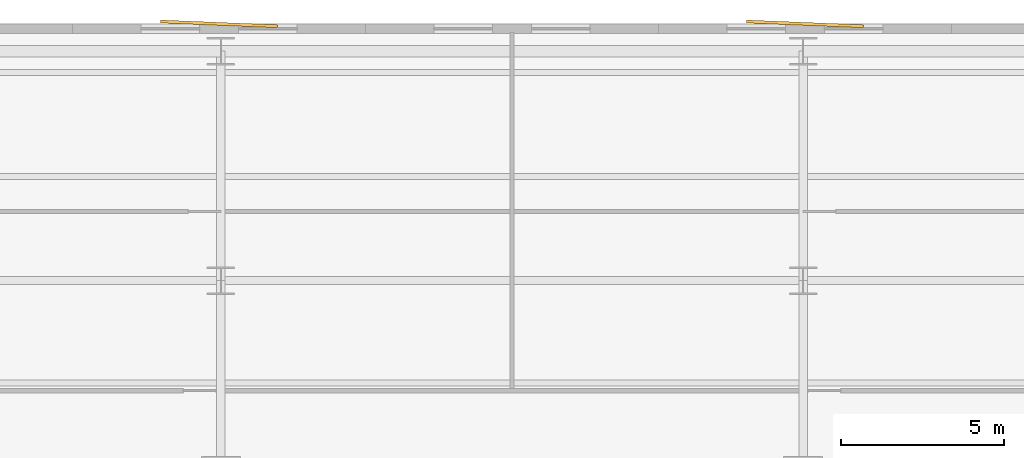
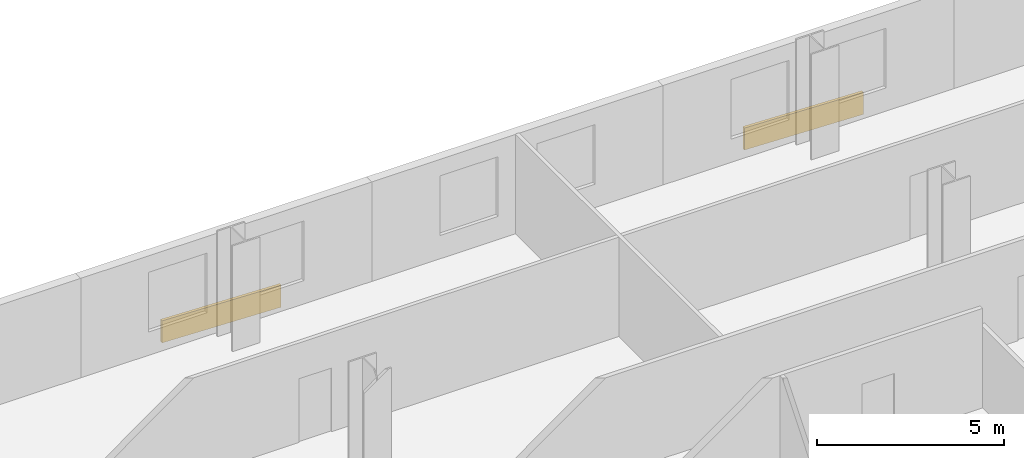
# One storey, part 10 of 10: 2 coverings.
"""IFC4 building model written with IfcOpenShell, lengths in metres."""

from ifc_helpers import new_model, si_unit, direction, frame, origin, origin_2d, place, context, subcontext, project, spatial, rectangle, extrude, material, layer, layer_set, type_object, element, save


model = new_model("IFC4")

# Units and contexts
model_context = context("Model", 3, precision=1e-05, world=origin(), true_north=direction((0.0, 1.0)))
body_context = subcontext(model_context, "Body", "Model", "MODEL_VIEW")
ifc_project = project(units=[si_unit("LENGTHUNIT", "METRE"), si_unit("AREAUNIT", "SQUARE_METRE"), si_unit("VOLUMEUNIT", "CUBIC_METRE"), si_unit("PLANEANGLEUNIT", "RADIAN"), si_unit("MASSUNIT", "GRAM", prefix="KILO")], contexts=[model_context])

# Site, building, storey
site_placement = place(None, origin())
site = spatial("IfcSite", under=ifc_project, at=site_placement, CompositionType="ELEMENT")
building_placement = place(site_placement, origin())
building = spatial("IfcBuilding", under=site, at=building_placement, Name="Velakula Bourse", CompositionType="ELEMENT")
storey_placement = place(building_placement, frame((0.0, 0.0, 55.35009765625)))
storey = spatial("IfcBuildingStorey", under=building, at=storey_placement, Name="L14", CompositionType="ELEMENT", Elevation=55.35009765625)

# Coverings
ifc_material = material(Name="Red kilned clay facing brick masonry", Category="masonry")
ifc_layer = layer(ifc_material, 0.090087890625, Name="Red kilned clay facing brick masonry", Category="masonry")
ifc_layer_set = layer_set([ifc_layer], Name="Red kilned clay facing brick masonry")
covering_type = type_object("IfcCoveringType", Name="COV-BRK-FOLD-90", PredefinedType="CLADDING", material=ifc_layer_set)
for number, where, z_axis, x_axis, name in (
    (1, (-9.0, 22.489990234375, 0.0), (0.0, 0.0, 1.0), (0.999158993058, -0.041003738744, 0.0), "L14 Folded Brick Facade Cladding Panel N-B2"),
    (2, (9.0, 22.489990234375, 0.0), (0.0, 0.0, 1.0), (0.999158993058, -0.041003738744, 0.0), "L14 Folded Brick Facade Cladding Panel N-B4"),
):
    element("IfcCovering", number, at=place(storey_placement, frame(where, z_axis=z_axis, x_axis=x_axis)), inside=storey, type_object=covering_type, Name=name, PredefinedType="CLADDING", context=body_context, shape_type="SweptSolid", body=[
        extrude(rectangle(XDim=3.60009765625, YDim=0.090087890625, at=origin_2d()), origin(), (0.0, 0.0, 1.0), 0.719970703125),
    ])

save(model, "model.ifc")
